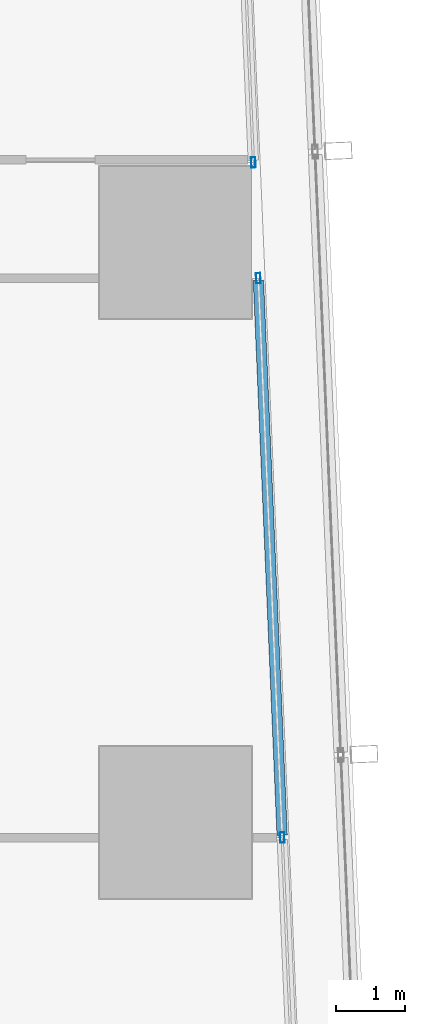
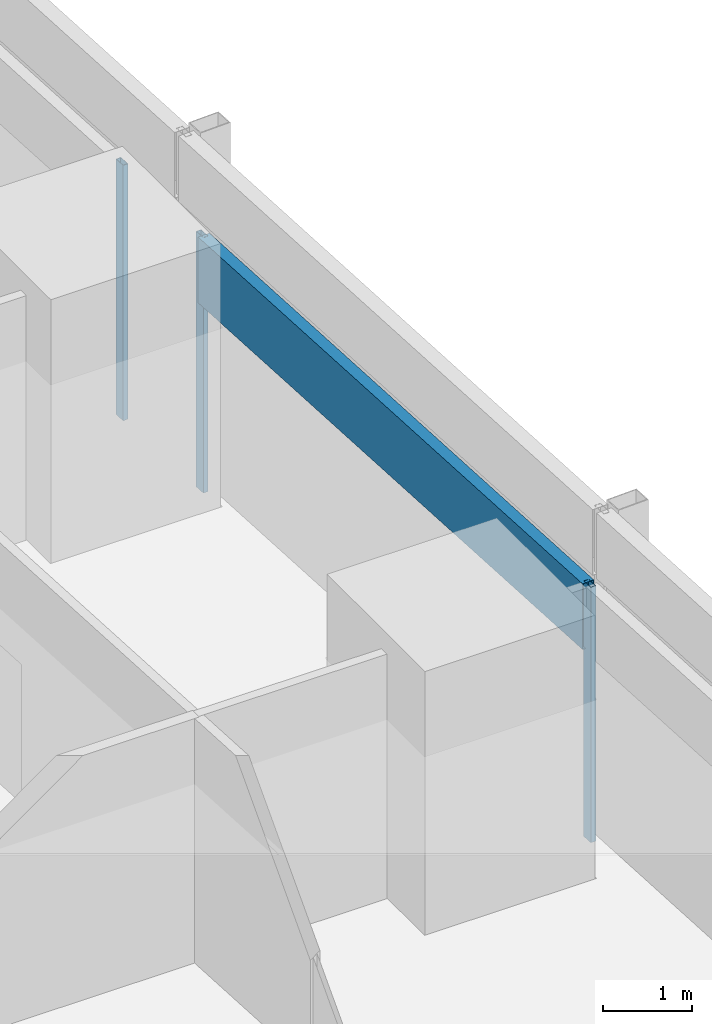
# One storey, part 20 of 44: 4 members, 2 elements without a shape of their own.
"""IFC4 building model written with IfcOpenShell, lengths in metres."""

from ifc_helpers import new_model, si_unit, direction, frame, origin, origin_2d, place, context, subcontext, project, spatial, hollow_rectangle, extrude, material, material_profile, profile_set, type_object, element, aggregate, save


model = new_model("IFC4")

# Units and contexts
model_context = context("Model", 3, precision=1e-05, world=origin(), true_north=direction((0.0, 1.0)))
body_context = subcontext(model_context, "Body", "Model", "MODEL_VIEW")
ifc_project = project(units=[si_unit("LENGTHUNIT", "METRE"), si_unit("AREAUNIT", "SQUARE_METRE"), si_unit("VOLUMEUNIT", "CUBIC_METRE"), si_unit("PLANEANGLEUNIT", "RADIAN"), si_unit("MASSUNIT", "GRAM", prefix="KILO")], contexts=[model_context])

# Site, building, storey
site_placement = place(None, origin())
site = spatial("IfcSite", under=ifc_project, at=site_placement, CompositionType="ELEMENT")
building_placement = place(site_placement, origin())
building = spatial("IfcBuilding", under=site, at=building_placement, Name="Rekha Terrace Tower", CompositionType="ELEMENT")
storey_placement = place(building_placement, frame((0.0, 0.0, 62.89990234375)))
storey = spatial("IfcBuildingStorey", under=building, at=storey_placement, Name="L15", CompositionType="ELEMENT", Elevation=62.89990234375)

# Curtain wall, members
ifc_material_1 = material(Name="Aluminium framing", Category="aluminium")
curtain_wall_type = type_object("IfcCurtainWallType", Name="CW1 double skin inner glazing", PredefinedType="USERDEFINED", material=ifc_material_1)
curtain_wall_1_placement = place(storey_placement, origin())
curtain_wall_1 = element("IfcCurtainWall", 1, at=curtain_wall_1_placement, inside=storey, type_object=curtain_wall_type, Name="CW1 double skin inner glazing", ObjectType="DOUBLE SKIN INNER GLAZING", PredefinedType="USERDEFINED")
ifc_material_2 = material(Name="Aluminium mullion section", Category="aluminium")
ifc_material_profile_1 = material_profile(ifc_material_2, hollow_rectangle(XDim=0.06494140625, YDim=0.14990234375, WallThickness=0.00390625, at=origin_2d()), Name="AL RHS 65x150")
ifc_profile_set_1 = profile_set([ifc_material_profile_1], Name="Aluminium mullion section")
member_type_1 = type_object("IfcMemberType", Name="CW1 mullion RHS 65 x 150", PredefinedType="MULLION", material=ifc_profile_set_1)
member_1_placement = place(storey_placement, frame((68.7431640625, 41.781494140625, 0.0), z_axis=(0.0, 0.0, 1.0), x_axis=(-0.999088106904, -0.042696072921, 0.0)))
member_1 = element("IfcMember", 2, at=member_1_placement, type_object=member_type_1, Name="CW1 mullion 3", PredefinedType="MULLION", context=body_context, shape_type="SweptSolid", body=[
    extrude(hollow_rectangle(XDim=0.06494140625, YDim=0.14990234375, WallThickness=0.00390625, at=origin_2d()), origin(), (0.0, 0.0, 1.0), 3.5),
])
member_2_placement = place(storey_placement, frame((68.397216796875, 49.8798828125, 0.0), z_axis=(0.0, 0.0, 1.0), x_axis=(-0.999088106904, -0.042696072921, 0.0)))
member_2 = element("IfcMember", 3, at=member_2_placement, type_object=member_type_1, Name="CW1 mullion 4", PredefinedType="MULLION", context=body_context, shape_type="SweptSolid", body=[
    extrude(hollow_rectangle(XDim=0.06494140625, YDim=0.14990234375, WallThickness=0.00390625, at=origin_2d()), origin(), (0.0, 0.0, 1.0), 3.5),
])

# Curtain wall, member
curtain_wall_2_placement = place(storey_placement, origin())
curtain_wall_2 = element("IfcCurtainWall", 4, at=curtain_wall_2_placement, inside=storey, type_object=curtain_wall_type, Name="CW1 double skin inner glazing", ObjectType="DOUBLE SKIN INNER GLAZING", PredefinedType="USERDEFINED")
member_3_placement = place(storey_placement, frame((68.325439453125, 51.556396484375, 0.0), z_axis=(0.0, 0.0, 1.0), x_axis=(-0.9990881069, -0.042696073026, 0.0)))
member_3 = element("IfcMember", 5, at=member_3_placement, type_object=member_type_1, Name="CW1 mullion 1", PredefinedType="MULLION", context=body_context, shape_type="SweptSolid", body=[
    extrude(hollow_rectangle(XDim=0.06494140625, YDim=0.14990234375, WallThickness=0.00390625, at=origin_2d()), origin(), (0.0, 0.0, 1.0), 3.5),
])
aggregate(curtain_wall_2, [member_3])

# Member
ifc_material_3 = material(Name="Insulated aluminium spandrel box", Category="aluminium")
ifc_material_profile_2 = material_profile(ifc_material_3, hollow_rectangle(XDim=0.14990234375, YDim=0.89990234375, WallThickness=0.0029296875, at=origin_2d()), Name="AL SPANDREL BOX 150x900")
ifc_profile_set_2 = profile_set([ifc_material_profile_2], Name="Insulated aluminium spandrel box")
member_type_2 = type_object("IfcMemberType", Name="CW1 spandrel transom 150 x 900", PredefinedType="USERDEFINED", material=ifc_profile_set_2)
member_4_placement = place(storey_placement, frame((68.741943359375, 41.81396484375, 3.050048828125), z_axis=(-0.042720422486, 0.999087066027, 0.0), x_axis=(-0.999087066027, -0.042720422486, 0.0)))
member_4 = element("IfcMember", 6, at=member_4_placement, type_object=member_type_2, Name="CW1 spandrel transom 3", ObjectType="TRANSOM", PredefinedType="USERDEFINED", context=body_context, shape_type="SweptSolid", body=[
    extrude(hollow_rectangle(XDim=0.14990234375, YDim=0.89990234375, WallThickness=0.0029296875, at=origin_2d()), origin(), (0.0, 0.0, 1.0), 8.040771484375),
])

aggregate(curtain_wall_1, [member_1, member_2, member_4])

save(model, "model.ifc")
